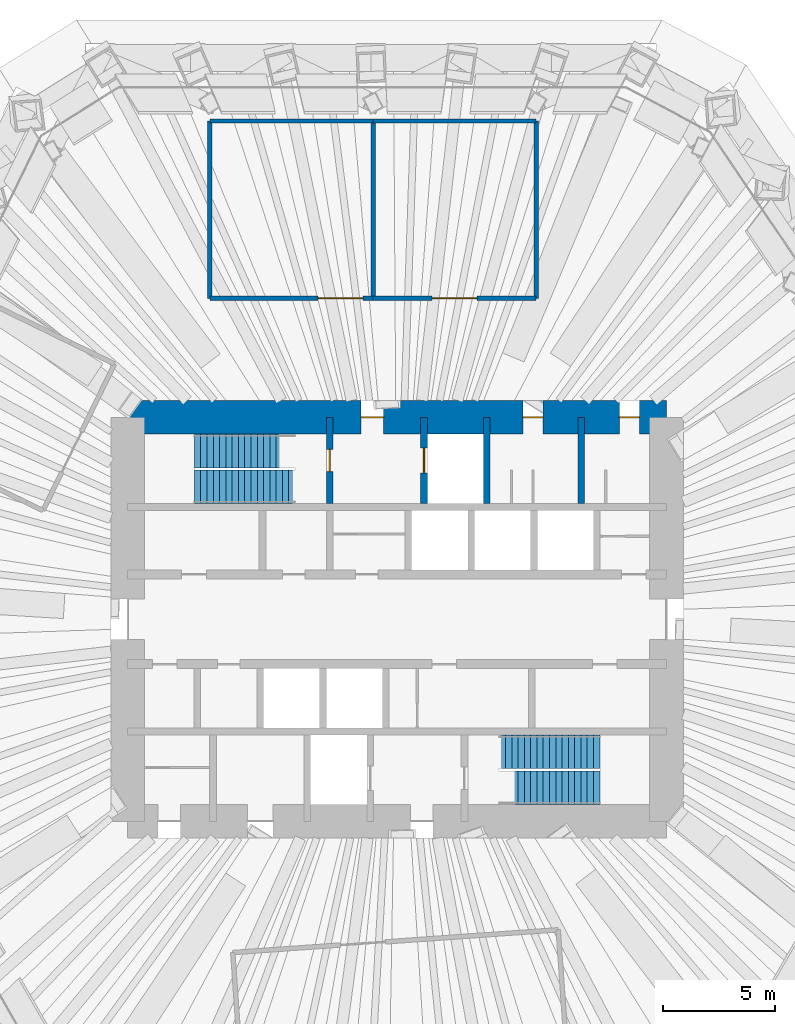
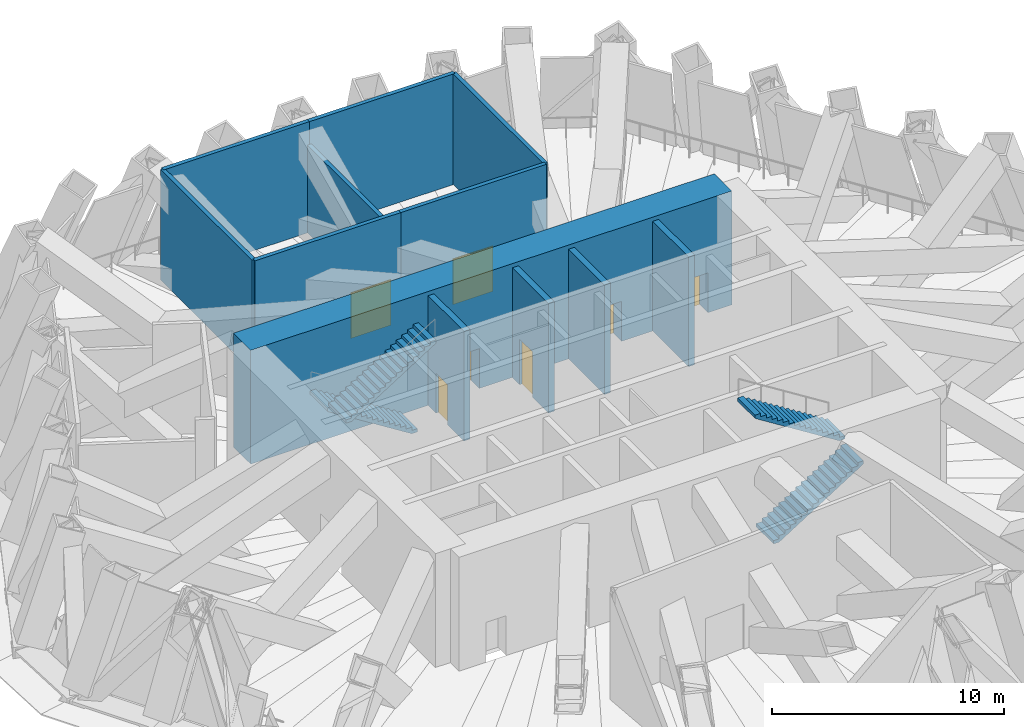
# One storey, part 8 of 12: 12 walls, 7 doors, 4 stair flights, 7 openings, 2 elements without a shape of their own.
"""IFC4 building model written with IfcOpenShell, lengths in metres."""

from ifc_helpers import new_model, si_unit, direction, frame, frame_2d, origin, place, context, subcontext, project, spatial, polyline, rectangle, outline, extrude, material, layer, layer_set, type_object, element, fill, aggregate, save


model = new_model("IFC4")

# Units and contexts
model_context = context("Model", 3, precision=1e-05, world=origin(), true_north=direction((0.0, 1.0)))
body_context = subcontext(model_context, "Body", "Model", "MODEL_VIEW")
ifc_project = project(units=[si_unit("LENGTHUNIT", "METRE"), si_unit("AREAUNIT", "SQUARE_METRE"), si_unit("VOLUMEUNIT", "CUBIC_METRE"), si_unit("PLANEANGLEUNIT", "RADIAN"), si_unit("MASSUNIT", "GRAM", prefix="KILO")], contexts=[model_context])

# Site, building, storey
site_placement = place(None, origin())
site = spatial("IfcSite", under=ifc_project, at=site_placement, CompositionType="ELEMENT")
building_placement = place(site_placement, origin())
building = spatial("IfcBuilding", under=site, at=building_placement, Name="Qingtian Harvest Tower", CompositionType="ELEMENT")
storey_placement = place(building_placement, frame((0.0, 0.0, 174.39990234375)))
storey = spatial("IfcBuildingStorey", under=building, at=storey_placement, Name="L37", CompositionType="ELEMENT", Elevation=174.39990234375)

# Wall, opening, door
ifc_material_1 = material(Name="Precast concrete shaft panel", Category="concrete")
ifc_layer_1 = layer(ifc_material_1, 0.300048828125)
ifc_layer_set_1 = layer_set([ifc_layer_1], Name="Core shaft partition SW1 300")
wall_type_1 = type_object("IfcWallType", Name="Core shaft partition SW1 300", PredefinedType="PARTITIONING", material=ifc_layer_set_1)
wall_1_placement = place(storey_placement, frame((-3.0, 5.14990234375, 0.0), z_axis=(0.0, 0.0, 1.0), x_axis=(0.0, 1.0, 0.0)))
wall_1 = element("IfcWall", 1, at=wall_1_placement, inside=storey, type_object=wall_type_1, Name="Core shaft partition XN1 L37", PredefinedType="PARTITIONING", context=body_context, shape_type="SweptSolid", body=[
    extrude(rectangle(XDim=3.85009765625, YDim=0.300048828125, at=frame_2d((1.925048828125, 0.0))), origin(), (0.0, 0.0, 1.0), 5.780029296875),
])
opening_1_placement = place(wall_1_placement, frame((1.425048828125, 0.0, 0.0)))
opening_1 = element("IfcOpeningElement", 2, at=opening_1_placement, cuts=wall_1, Name="Opening FD1", PredefinedType="OPENING", context=body_context, shape_type="SweptSolid", body=[
    extrude(rectangle(XDim=1.0, YDim=2.10009765625, at=frame_2d((0.5, 1.050048828125))), frame((0.0, 0.159912109375, 0.0), z_axis=(0.0, -1.0, 0.0), x_axis=(1.0, 0.0, 0.0)), (0.0, 0.0, 1.0), 0.320068359375),
])
ifc_material_2 = material(Name="Steel-faced door leaf", Category="steel")
door_type_1 = type_object("IfcDoorType", Name="Fire door FD1 single 1 HR", OperationType="SINGLE_SWING_LEFT", PredefinedType="DOOR", material=ifc_material_2)
door_1_placement = place(opening_1_placement, origin())
door_1 = element("IfcDoor", 3, at=door_1_placement, inside=storey, type_object=door_type_1, Name="S1 door L37", OperationType="SINGLE_SWING_RIGHT", OverallHeight=2.10009765625, OverallWidth=1.0, PredefinedType="DOOR", context=body_context, shape_type="SweptSolid", body=[
    extrude(rectangle(XDim=1.0, YDim=2.10009765625, at=frame_2d((0.5, 1.050048828125))), frame((0.0, 0.02490234375, 0.0), z_axis=(0.0, -1.0, 0.0), x_axis=(1.0, 0.0, 0.0)), (0.0, 0.0, 1.0), 0.050048828125),
])
fill(opening_1, door_1)

wall_2_placement = place(storey_placement, frame((1.199951171875, 5.14990234375, 0.0), z_axis=(0.0, 0.0, 1.0), x_axis=(0.0, 1.0, 0.0)))
wall_2 = element("IfcWall", 4, at=wall_2_placement, inside=storey, type_object=wall_type_1, Name="Core shaft partition XN2 L37", PredefinedType="PARTITIONING", context=body_context, shape_type="SweptSolid", body=[
    extrude(rectangle(XDim=3.85009765625, YDim=0.300048828125, at=frame_2d((1.925048828125, 0.0))), origin(), (0.0, 0.0, 1.0), 5.780029296875),
])
opening_2_placement = place(wall_2_placement, frame((1.375, 0.0, 0.0)))
opening_2 = element("IfcOpeningElement", 5, at=opening_2_placement, cuts=wall_2, Name="Opening LD1", PredefinedType="OPENING", context=body_context, shape_type="SweptSolid", body=[
    extrude(rectangle(XDim=1.10009765625, YDim=2.39990234375, at=frame_2d((0.550048828125, 1.199951171875))), frame((0.0, 0.159912109375, 0.0), z_axis=(0.0, -1.0, 0.0), x_axis=(1.0, 0.0, 0.0)), (0.0, 0.0, 1.0), 0.320068359375),
])
ifc_material_3 = material(Name="Stainless steel lift landing door", Category="steel")
door_type_2 = type_object("IfcDoorType", Name="Lift landing door LD1 1 HR", OperationType="DOUBLE_DOOR_SLIDING", PredefinedType="DOOR", material=ifc_material_3)
door_2_placement = place(opening_2_placement, origin())
door_2 = element("IfcDoor", 6, at=door_2_placement, inside=storey, type_object=door_type_2, Name="FL1 landing door L37", OperationType="DOUBLE_DOOR_SLIDING", OverallHeight=2.39990234375, OverallWidth=1.10009765625, PredefinedType="DOOR", context=body_context, shape_type="SweptSolid", body=[
    extrude(rectangle(XDim=1.10009765625, YDim=2.39990234375, at=frame_2d((0.550048828125, 1.199951171875))), frame((0.0, 0.02490234375, 0.0), z_axis=(0.0, -1.0, 0.0), x_axis=(1.0, 0.0, 0.0)), (0.0, 0.0, 1.0), 0.050048828125),
])
fill(opening_2, door_2)

# Walls
for number, where, z_axis, x_axis, name in (
    (7, (4.0, 5.14990234375, 0.0), (0.0, 0.0, 1.0), (0.0, 1.0, 0.0), "Core shaft partition XN3 L37"),
    (8, (8.199951171875, 5.14990234375, 0.0), (0.0, 0.0, 1.0), (0.0, 1.0, 0.0), "Core shaft partition XN4 L37"),
):
    element("IfcWall", number, at=place(storey_placement, frame(where, z_axis=z_axis, x_axis=x_axis)), inside=storey, type_object=wall_type_1, Name=name, PredefinedType="PARTITIONING", context=body_context, shape_type="SweptSolid", body=[
        extrude(rectangle(XDim=3.85009765625, YDim=0.300048828125, at=frame_2d((1.925048828125, 0.0))), origin(), (0.0, 0.0, 1.0), 5.780029296875),
    ])

# Wall, openings, doors
ifc_material_4 = material(Name="Concrete fc' 70 MPa", Category="concrete")
ifc_layer_2 = layer(ifc_material_4, 1.5)
ifc_layer_set_2 = layer_set([ifc_layer_2], Name="Core wall RC1 1500")
wall_type_2 = type_object("IfcWallType", Name="Core wall RC1 1500", PredefinedType="SHEAR", material=ifc_layer_set_2)
wall_3_placement = place(storey_placement, frame((-12.0, 9.0, 0.0), z_axis=(0.0, 0.0, 1.0), x_axis=(1.0, 0.0, 0.0)))
wall_3 = element("IfcWall", 9, at=wall_3_placement, inside=storey, type_object=wall_type_2, Name="Core wall CN L37", PredefinedType="SHEAR", context=body_context, shape_type="SweptSolid", body=[
    extrude(rectangle(XDim=24.0, YDim=1.5, at=frame_2d((12.0, 0.0))), origin(), (0.0, 0.0, 1.0), 6.0),
])
opening_3_placement = place(wall_3_placement, frame((10.39990234375, 0.0, 0.0)))
opening_3 = element("IfcOpeningElement", 10, at=opening_3_placement, cuts=wall_3, Name="Opening FD1", PredefinedType="OPENING", context=body_context, shape_type="SweptSolid", body=[
    extrude(rectangle(XDim=1.0, YDim=2.10009765625, at=frame_2d((0.5, 1.050048828125))), frame((0.0, 0.760009765625, 0.0), z_axis=(0.0, -1.0, 0.0), x_axis=(1.0, 0.0, 0.0)), (0.0, 0.0, 1.0), 1.52001953125),
])
opening_4_placement = place(wall_3_placement, frame((17.60009765625, 0.0, 0.0)))
opening_4 = element("IfcOpeningElement", 11, at=opening_4_placement, cuts=wall_3, Name="Opening D1", PredefinedType="OPENING", context=body_context, shape_type="SweptSolid", body=[
    extrude(rectangle(XDim=0.89990234375, YDim=2.10009765625, at=frame_2d((0.449951171875, 1.050048828125))), frame((0.0, 0.760009765625, 0.0), z_axis=(0.0, -1.0, 0.0), x_axis=(1.0, 0.0, 0.0)), (0.0, 0.0, 1.0), 1.52001953125),
])
opening_5_placement = place(wall_3_placement, frame((21.89990234375, 0.0, 0.0)))
opening_5 = element("IfcOpeningElement", 12, at=opening_5_placement, cuts=wall_3, Name="Opening D1", PredefinedType="OPENING", context=body_context, shape_type="SweptSolid", body=[
    extrude(rectangle(XDim=0.89990234375, YDim=2.10009765625, at=frame_2d((0.449951171875, 1.050048828125))), frame((0.0, 0.760009765625, 0.0), z_axis=(0.0, -1.0, 0.0), x_axis=(1.0, 0.0, 0.0)), (0.0, 0.0, 1.0), 1.52001953125),
])
door_3_placement = place(opening_3_placement, origin())
door_3 = element("IfcDoor", 13, at=door_3_placement, inside=storey, type_object=door_type_1, Name="V1 door L37", OperationType="SINGLE_SWING_LEFT", OverallHeight=2.10009765625, OverallWidth=1.0, PredefinedType="DOOR", context=body_context, shape_type="SweptSolid", body=[
    extrude(rectangle(XDim=1.0, YDim=2.10009765625, at=frame_2d((0.5, 1.050048828125))), frame((0.0, 0.02490234375, 0.0), z_axis=(0.0, -1.0, 0.0), x_axis=(1.0, 0.0, 0.0)), (0.0, 0.0, 1.0), 0.050048828125),
])
fill(opening_3, door_3)
ifc_material_5 = material(Name="Laminated timber door leaf", Category="wood")
door_type_3 = type_object("IfcDoorType", Name="Toilet door D1 single", OperationType="SINGLE_SWING_LEFT", PredefinedType="DOOR", material=ifc_material_5)
door_4_placement = place(opening_4_placement, origin())
door_4 = element("IfcDoor", 14, at=door_4_placement, inside=storey, type_object=door_type_3, Name="WCM door L37", OperationType="SINGLE_SWING_RIGHT", OverallHeight=2.10009765625, OverallWidth=0.89990234375, PredefinedType="DOOR", context=body_context, shape_type="SweptSolid", body=[
    extrude(rectangle(XDim=0.89990234375, YDim=2.10009765625, at=frame_2d((0.449951171875, 1.050048828125))), frame((0.0, 0.02490234375, 0.0), z_axis=(0.0, -1.0, 0.0), x_axis=(1.0, 0.0, 0.0)), (0.0, 0.0, 1.0), 0.050048828125),
])
fill(opening_4, door_4)
door_5_placement = place(opening_5_placement, origin())
door_5 = element("IfcDoor", 15, at=door_5_placement, inside=storey, type_object=door_type_3, Name="WCF door L37", OperationType="SINGLE_SWING_RIGHT", OverallHeight=2.10009765625, OverallWidth=0.89990234375, PredefinedType="DOOR", context=body_context, shape_type="SweptSolid", body=[
    extrude(rectangle(XDim=0.89990234375, YDim=2.10009765625, at=frame_2d((0.449951171875, 1.050048828125))), frame((0.0, 0.02490234375, 0.0), z_axis=(0.0, -1.0, 0.0), x_axis=(1.0, 0.0, 0.0)), (0.0, 0.0, 1.0), 0.050048828125),
])
fill(opening_5, door_5)

# Walls
ifc_material_6 = material(Name="Blockwork fire wall", Category="masonry")
ifc_layer_3 = layer(ifc_material_6, 0.199951171875)
ifc_layer_set_3 = layer_set([ifc_layer_3], Name="Fire partition FW1 200")
wall_type_3 = type_object("IfcWallType", Name="Fire partition FW1 200", PredefinedType="PARTITIONING", material=ifc_layer_set_3)
wall_4_placement = place(storey_placement, frame((-8.33837890625, 22.199951171875, 0.0), z_axis=(0.0, 0.0, 1.0), x_axis=(0.0, -1.0, 0.0)))
element("IfcWall", 16, at=wall_4_placement, inside=storey, type_object=wall_type_3, Name="Chilled water plant room wall L37", PredefinedType="PARTITIONING", context=body_context, shape_type="SweptSolid", body=[
    extrude(rectangle(XDim=7.89990234375, YDim=0.199951171875, at=frame_2d((3.949951171875, 0.0))), origin(), (0.0, 0.0, 1.0), 5.830078125),
])
wall_5_placement = place(storey_placement, frame((-1.0712890625, 22.199951171875, 0.0), z_axis=(0.0, 0.0, 1.0), x_axis=(0.0, -1.0, 0.0)))
element("IfcWall", 17, at=wall_5_placement, inside=storey, type_object=wall_type_3, Name="Chilled water plant room wall L37", PredefinedType="PARTITIONING", context=body_context, shape_type="SweptSolid", body=[
    extrude(rectangle(XDim=7.89990234375, YDim=0.199951171875, at=frame_2d((3.949951171875, 0.0))), origin(), (0.0, 0.0, 1.0), 4.630126953125),
])

# Wall, opening, door
wall_6_placement = place(storey_placement, frame((-8.33837890625, 14.300048828125, 0.0), z_axis=(0.0, 0.0, 1.0), x_axis=(1.0, 0.0, 0.0)))
wall_6 = element("IfcWall", 18, at=wall_6_placement, inside=storey, type_object=wall_type_3, Name="Chilled water plant room wall L37", PredefinedType="PARTITIONING", context=body_context, shape_type="SweptSolid", body=[
    extrude(rectangle(XDim=7.26708984375, YDim=0.199951171875, at=frame_2d((3.633544921875, 0.0))), origin(), (0.0, 0.0, 1.0), 5.830078125),
])
opening_6_placement = place(wall_6_placement, frame((4.813720703125, 0.0, 0.0)))
opening_6 = element("IfcOpeningElement", 19, at=opening_6_placement, cuts=wall_6, Name="Opening FD3", PredefinedType="OPENING", context=body_context, shape_type="SweptSolid", body=[
    extrude(rectangle(XDim=2.0, YDim=2.39990234375, at=frame_2d((1.0, 1.199951171875))), frame((0.0, 0.10986328125, 0.0), z_axis=(0.0, -1.0, 0.0), x_axis=(1.0, 0.0, 0.0)), (0.0, 0.0, 1.0), 0.219970703125),
])
ifc_material_7 = material(Name="Steel-faced door leaf", Category="steel")
door_type_4 = type_object("IfcDoorType", Name="Fire door FD3 double 2 HR", OperationType="DOUBLE_DOOR_DOUBLE_SWING", PredefinedType="DOOR", material=ifc_material_7)
door_6_placement = place(opening_6_placement, origin())
door_6 = element("IfcDoor", 20, at=door_6_placement, inside=storey, type_object=door_type_4, Name="Chilled water plant room door L37", OperationType="DOUBLE_DOOR_DOUBLE_SWING", OverallHeight=2.39990234375, OverallWidth=2.0, PredefinedType="DOOR", context=body_context, shape_type="SweptSolid", body=[
    extrude(rectangle(XDim=2.0, YDim=2.39990234375, at=frame_2d((1.0, 1.199951171875))), frame((0.0, 0.02490234375, 0.0), z_axis=(0.0, -1.0, 0.0), x_axis=(1.0, 0.0, 0.0)), (0.0, 0.0, 1.0), 0.050048828125),
])
fill(opening_6, door_6)

# Wall
wall_7_placement = place(storey_placement, frame((6.19580078125, 22.199951171875, 0.0), z_axis=(0.0, 0.0, 1.0), x_axis=(0.0, -1.0, 0.0)))
element("IfcWall", 21, at=wall_7_placement, inside=storey, type_object=wall_type_3, Name="Heat exchanger plant room wall L37", PredefinedType="PARTITIONING", context=body_context, shape_type="SweptSolid", body=[
    extrude(rectangle(XDim=7.89990234375, YDim=0.199951171875, at=frame_2d((3.949951171875, 0.0))), origin(), (0.0, 0.0, 1.0), 5.830078125),
])

# Wall, opening, door
wall_8_placement = place(storey_placement, frame((-1.0712890625, 14.300048828125, 0.0), z_axis=(0.0, 0.0, 1.0), x_axis=(1.0, 0.0, 0.0)))
wall_8 = element("IfcWall", 22, at=wall_8_placement, inside=storey, type_object=wall_type_3, Name="Heat exchanger plant room wall L37", PredefinedType="PARTITIONING", context=body_context, shape_type="SweptSolid", body=[
    extrude(rectangle(XDim=7.26708984375, YDim=0.199951171875, at=frame_2d((3.633544921875, 0.0))), origin(), (0.0, 0.0, 1.0), 5.830078125),
])
opening_7_placement = place(wall_8_placement, frame((2.633544921875, 0.0, 0.0)))
opening_7 = element("IfcOpeningElement", 23, at=opening_7_placement, cuts=wall_8, Name="Opening FD3", PredefinedType="OPENING", context=body_context, shape_type="SweptSolid", body=[
    extrude(rectangle(XDim=2.0, YDim=2.39990234375, at=frame_2d((1.0, 1.199951171875))), frame((0.0, 0.10986328125, 0.0), z_axis=(0.0, -1.0, 0.0), x_axis=(1.0, 0.0, 0.0)), (0.0, 0.0, 1.0), 0.219970703125),
])
door_7_placement = place(opening_7_placement, origin())
door_7 = element("IfcDoor", 24, at=door_7_placement, inside=storey, type_object=door_type_4, Name="Heat exchanger plant room door L37", OperationType="DOUBLE_DOOR_DOUBLE_SWING", OverallHeight=2.39990234375, OverallWidth=2.0, PredefinedType="DOOR", context=body_context, shape_type="SweptSolid", body=[
    extrude(rectangle(XDim=2.0, YDim=2.39990234375, at=frame_2d((1.0, 1.199951171875))), frame((0.0, 0.02490234375, 0.0), z_axis=(0.0, -1.0, 0.0), x_axis=(1.0, 0.0, 0.0)), (0.0, 0.0, 1.0), 0.050048828125),
])
fill(opening_7, door_7)

# Walls
for number, where, z_axis, x_axis, name in (
    (25, (-8.33837890625, 22.199951171875, 0.0), (0.0, 0.0, 1.0), (1.0, 0.0, 0.0), "Chilled water plant room outer wall L37"),
    (26, (-1.0712890625, 22.199951171875, 0.0), (0.0, 0.0, 1.0), (1.0, 0.0, 0.0), "Heat exchanger plant room outer wall L37"),
):
    element("IfcWall", number, at=place(storey_placement, frame(where, z_axis=z_axis, x_axis=x_axis)), inside=storey, type_object=wall_type_3, Name=name, PredefinedType="PARTITIONING", context=body_context, shape_type="SweptSolid", body=[
        extrude(rectangle(XDim=7.26708984375, YDim=0.199951171875, at=frame_2d((3.633544921875, 0.0))), origin(), (0.0, 0.0, 1.0), 5.830078125),
    ])

# Stair, stair flights
ifc_material_8 = material(Name="Concrete fc' 35 MPa", Category="concrete")
stair_type = type_object("IfcStairType", Name="Special stair ST1 6000", PredefinedType="HALF_TURN_STAIR", material=ifc_material_8)
stair_1_placement = place(storey_placement, origin())
stair_1 = element("IfcStair", 27, at=stair_1_placement, inside=storey, type_object=stair_type, Name="Special stair S1 L37", PredefinedType="HALF_TURN_STAIR")
ifc_material_9 = material(Name="Concrete fc' 35 MPa", Category="concrete")
stair_flight_type = type_object("IfcStairFlightType", Name="Stair flight SF1 6000", PredefinedType="STRAIGHT", material=ifc_material_9)
stair_flight_1_placement = place(storey_placement, frame((-4.550048828125, 7.5, 0.0), z_axis=(0.0, 0.0, 1.0), x_axis=(-1.0, 0.0, 0.0)))
stair_flight_1 = element("IfcStairFlight", 28, at=stair_flight_1_placement, type_object=stair_flight_type, Name="S1 flight 1", NumberOfRisers=17, NumberOfTreads=16, PredefinedType="STRAIGHT", RiserHeight=0.176470588, TreadLength=0.28, context=body_context, shape_type="SweptSolid", body=[
    extrude(outline(polyline([(0.0, 0.0), (0.0, 0.176513671875), (0.280029296875, 0.176513671875), (0.280029296875, 0.35302734375), (0.56005859375, 0.35302734375), (0.56005859375, 0.529296875), (0.840087890625, 0.529296875), (0.840087890625, 0.705810546875), (1.1201171875, 0.705810546875), (1.1201171875, 0.88232421875), (1.39990234375, 0.88232421875), (1.39990234375, 1.058837890625), (1.679931640625, 1.058837890625), (1.679931640625, 1.2353515625), (1.9599609375, 1.2353515625), (1.9599609375, 1.411865234375), (2.239990234375, 1.411865234375), (2.239990234375, 1.588134765625), (2.52001953125, 1.588134765625), (2.52001953125, 1.7646484375), (2.800048828125, 1.7646484375), (2.800048828125, 1.941162109375), (3.080078125, 1.941162109375), (3.080078125, 2.11767578125), (3.360107421875, 2.11767578125), (3.360107421875, 2.294189453125), (3.639892578125, 2.294189453125), (3.639892578125, 2.470703125), (3.919921875, 2.470703125), (3.919921875, 2.64697265625), (4.199951171875, 2.64697265625), (4.199951171875, 2.823486328125), (4.47998046875, 2.823486328125), (4.47998046875, 3.0), (4.47998046875, 2.646240234375), (0.28125, 0.0), (0.0, 0.0)])), frame((0.0, 0.75, 0.0), z_axis=(0.0, -1.0, 0.0), x_axis=(1.0, 0.0, 0.0)), (0.0, 0.0, 1.0), 1.5),
])
stair_flight_2_placement = place(storey_placement, frame((-9.030029296875, 5.89990234375, 3.0), z_axis=(0.0, 0.0, 1.0), x_axis=(1.0, 0.0, 0.0)))
stair_flight_2 = element("IfcStairFlight", 29, at=stair_flight_2_placement, type_object=stair_flight_type, Name="S1 flight 2", NumberOfRisers=17, NumberOfTreads=16, PredefinedType="STRAIGHT", RiserHeight=0.176470588, TreadLength=0.28, context=body_context, shape_type="SweptSolid", body=[
    extrude(outline(polyline([(0.0, 0.0), (0.0, 0.176513671875), (0.280029296875, 0.176513671875), (0.280029296875, 0.35302734375), (0.56005859375, 0.35302734375), (0.56005859375, 0.529296875), (0.840087890625, 0.529296875), (0.840087890625, 0.705810546875), (1.1201171875, 0.705810546875), (1.1201171875, 0.88232421875), (1.39990234375, 0.88232421875), (1.39990234375, 1.058837890625), (1.679931640625, 1.058837890625), (1.679931640625, 1.2353515625), (1.9599609375, 1.2353515625), (1.9599609375, 1.411865234375), (2.239990234375, 1.411865234375), (2.239990234375, 1.588134765625), (2.52001953125, 1.588134765625), (2.52001953125, 1.7646484375), (2.800048828125, 1.7646484375), (2.800048828125, 1.941162109375), (3.080078125, 1.941162109375), (3.080078125, 2.11767578125), (3.360107421875, 2.11767578125), (3.360107421875, 2.294189453125), (3.639892578125, 2.294189453125), (3.639892578125, 2.470703125), (3.919921875, 2.470703125), (3.919921875, 2.64697265625), (4.199951171875, 2.64697265625), (4.199951171875, 2.823486328125), (4.47998046875, 2.823486328125), (4.47998046875, 3.0), (4.47998046875, 2.646240234375), (0.28125, 0.0), (0.0, 0.0)])), frame((0.0, 0.75, 0.0), z_axis=(0.0, -1.0, 0.0), x_axis=(1.0, 0.0, 0.0)), (0.0, 0.0, 1.0), 1.5),
])
aggregate(stair_1, [stair_flight_1, stair_flight_2])

stair_2_placement = place(storey_placement, origin())
stair_2 = element("IfcStair", 30, at=stair_2_placement, inside=storey, type_object=stair_type, Name="Special stair S2 L37", PredefinedType="HALF_TURN_STAIR")
stair_flight_3_placement = place(storey_placement, frame((4.550048828125, -7.5, 0.0), z_axis=(0.0, 0.0, 1.0), x_axis=(1.0, 0.0, 0.0)))
stair_flight_3 = element("IfcStairFlight", 31, at=stair_flight_3_placement, type_object=stair_flight_type, Name="S2 flight 1", NumberOfRisers=17, NumberOfTreads=16, PredefinedType="STRAIGHT", RiserHeight=0.176470588, TreadLength=0.28, context=body_context, shape_type="SweptSolid", body=[
    extrude(outline(polyline([(0.0, 0.0), (0.0, 0.176513671875), (0.280029296875, 0.176513671875), (0.280029296875, 0.35302734375), (0.56005859375, 0.35302734375), (0.56005859375, 0.529296875), (0.840087890625, 0.529296875), (0.840087890625, 0.705810546875), (1.1201171875, 0.705810546875), (1.1201171875, 0.88232421875), (1.39990234375, 0.88232421875), (1.39990234375, 1.058837890625), (1.679931640625, 1.058837890625), (1.679931640625, 1.2353515625), (1.9599609375, 1.2353515625), (1.9599609375, 1.411865234375), (2.239990234375, 1.411865234375), (2.239990234375, 1.588134765625), (2.52001953125, 1.588134765625), (2.52001953125, 1.7646484375), (2.800048828125, 1.7646484375), (2.800048828125, 1.941162109375), (3.080078125, 1.941162109375), (3.080078125, 2.11767578125), (3.360107421875, 2.11767578125), (3.360107421875, 2.294189453125), (3.639892578125, 2.294189453125), (3.639892578125, 2.470703125), (3.919921875, 2.470703125), (3.919921875, 2.64697265625), (4.199951171875, 2.64697265625), (4.199951171875, 2.823486328125), (4.47998046875, 2.823486328125), (4.47998046875, 3.0), (4.47998046875, 2.646240234375), (0.28125, 0.0), (0.0, 0.0)])), frame((0.0, 0.75, 0.0), z_axis=(0.0, -1.0, 0.0), x_axis=(1.0, 0.0, 0.0)), (0.0, 0.0, 1.0), 1.5),
])
stair_flight_4_placement = place(storey_placement, frame((9.030029296875, -5.89990234375, 3.0), z_axis=(0.0, 0.0, 1.0), x_axis=(-1.0, 0.0, 0.0)))
stair_flight_4 = element("IfcStairFlight", 32, at=stair_flight_4_placement, type_object=stair_flight_type, Name="S2 flight 2", NumberOfRisers=17, NumberOfTreads=16, PredefinedType="STRAIGHT", RiserHeight=0.176470588, TreadLength=0.28, context=body_context, shape_type="SweptSolid", body=[
    extrude(outline(polyline([(0.0, 0.0), (0.0, 0.176513671875), (0.280029296875, 0.176513671875), (0.280029296875, 0.35302734375), (0.56005859375, 0.35302734375), (0.56005859375, 0.529296875), (0.840087890625, 0.529296875), (0.840087890625, 0.705810546875), (1.1201171875, 0.705810546875), (1.1201171875, 0.88232421875), (1.39990234375, 0.88232421875), (1.39990234375, 1.058837890625), (1.679931640625, 1.058837890625), (1.679931640625, 1.2353515625), (1.9599609375, 1.2353515625), (1.9599609375, 1.411865234375), (2.239990234375, 1.411865234375), (2.239990234375, 1.588134765625), (2.52001953125, 1.588134765625), (2.52001953125, 1.7646484375), (2.800048828125, 1.7646484375), (2.800048828125, 1.941162109375), (3.080078125, 1.941162109375), (3.080078125, 2.11767578125), (3.360107421875, 2.11767578125), (3.360107421875, 2.294189453125), (3.639892578125, 2.294189453125), (3.639892578125, 2.470703125), (3.919921875, 2.470703125), (3.919921875, 2.64697265625), (4.199951171875, 2.64697265625), (4.199951171875, 2.823486328125), (4.47998046875, 2.823486328125), (4.47998046875, 3.0), (4.47998046875, 2.646240234375), (0.28125, 0.0), (0.0, 0.0)])), frame((0.0, 0.75, 0.0), z_axis=(0.0, -1.0, 0.0), x_axis=(1.0, 0.0, 0.0)), (0.0, 0.0, 1.0), 1.5),
])
aggregate(stair_2, [stair_flight_3, stair_flight_4])

save(model, "model.ifc")
